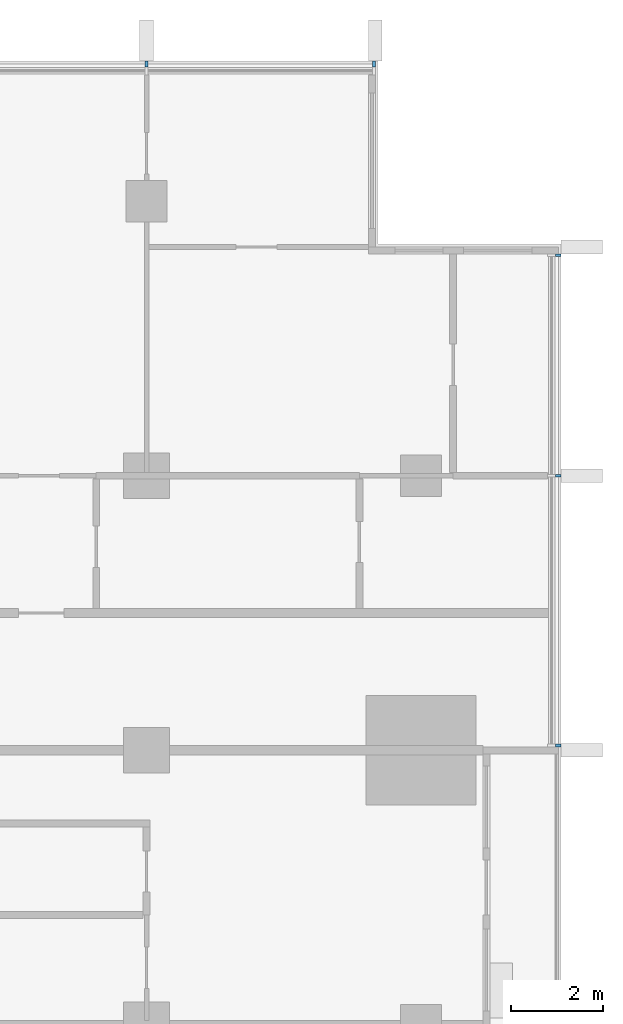
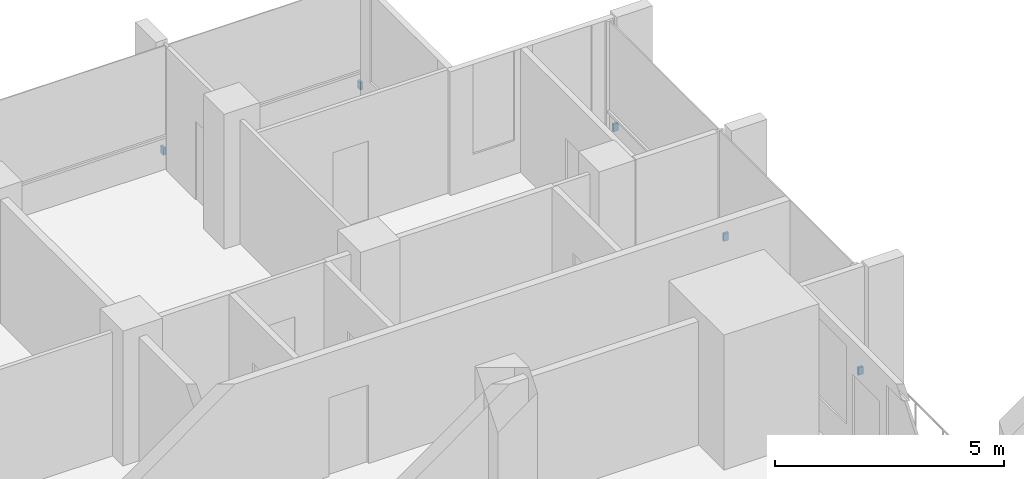
# One storey, part 16 of 17: 5 discrete accessories.
"""IFC4 building model written with IfcOpenShell, lengths in metres."""

from ifc_helpers import new_model, si_unit, direction, frame, origin, origin_2d, place, context, subcontext, project, spatial, rectangle, extrude, material, type_object, element, save


model = new_model("IFC4")

# Units and contexts
model_context = context("Model", 3, precision=1e-05, world=origin(), true_north=direction((0.0, 1.0)))
body_context = subcontext(model_context, "Body", "Model", "MODEL_VIEW")
ifc_project = project(units=[si_unit("LENGTHUNIT", "METRE"), si_unit("AREAUNIT", "SQUARE_METRE"), si_unit("VOLUMEUNIT", "CUBIC_METRE"), si_unit("PLANEANGLEUNIT", "RADIAN"), si_unit("MASSUNIT", "GRAM", prefix="KILO")], contexts=[model_context])

# Site, building, storey
site_placement = place(None, origin())
site = spatial("IfcSite", under=ifc_project, at=site_placement, CompositionType="ELEMENT")
building_placement = place(site_placement, origin())
building = spatial("IfcBuilding", under=site, at=building_placement, Name="Finial Court Residences", CompositionType="ELEMENT")
storey_placement = place(building_placement, frame((0.0, 0.0, 167.300048828125)))
storey = spatial("IfcBuildingStorey", under=building, at=storey_placement, Name="L41", CompositionType="ELEMENT", Elevation=167.300048828125)

# Discrete accessories
ifc_material = material(Name="Stainless steel 316", Category="steel")
discrete_accessory_type = type_object("IfcDiscreteAccessoryType", Name="Fin bracket, stainless steel 60 x 122 x 200", PredefinedType="BRACKET", material=ifc_material)
for number, where, z_axis, x_axis, name in (
    (1, (10.5, 22.498779296875, 0.2998046875), (0.0, 0.0, 1.0), (1.0, 0.0, 0.0), "E-L41-FIN-N5-BRK"),
    (2, (15.469970703125, 22.498779296875, 0.2998046875), (0.0, 0.0, 1.0), (1.0, 0.0, 0.0), "E-L41-FIN-N6-BRK"),
):
    element("IfcDiscreteAccessory", number, at=place(storey_placement, frame(where, z_axis=z_axis, x_axis=x_axis)), inside=storey, type_object=discrete_accessory_type, Name=name, PredefinedType="BRACKET", context=body_context, shape_type="SweptSolid", body=[
        extrude(rectangle(XDim=0.06005859375, YDim=0.12255859375, at=origin_2d()), origin(), (0.0, 0.0, 1.0), 0.199951171875),
    ])
for number, where, z_axis, x_axis, name in (
    (3, (19.498779296875, 7.60498046875, 0.2998046875), (0.0, 0.0, 1.0), (1.0, 0.0, 0.0), "E-L41-FIN-E11-BRK"),
    (4, (19.498779296875, 13.5, 0.2998046875), (0.0, 0.0, 1.0), (1.0, 0.0, 0.0), "E-L41-FIN-E12-BRK"),
    (5, (19.498779296875, 18.320068359375, 0.2998046875), (0.0, 0.0, 1.0), (1.0, 0.0, 0.0), "E-L41-FIN-E13-BRK"),
):
    element("IfcDiscreteAccessory", number, at=place(storey_placement, frame(where, z_axis=z_axis, x_axis=x_axis)), inside=storey, type_object=discrete_accessory_type, Name=name, PredefinedType="BRACKET", context=body_context, shape_type="SweptSolid", body=[
        extrude(rectangle(XDim=0.12255859375, YDim=0.06005859375, at=origin_2d()), origin(), (0.0, 0.0, 1.0), 0.199951171875),
    ])

save(model, "model.ifc")
